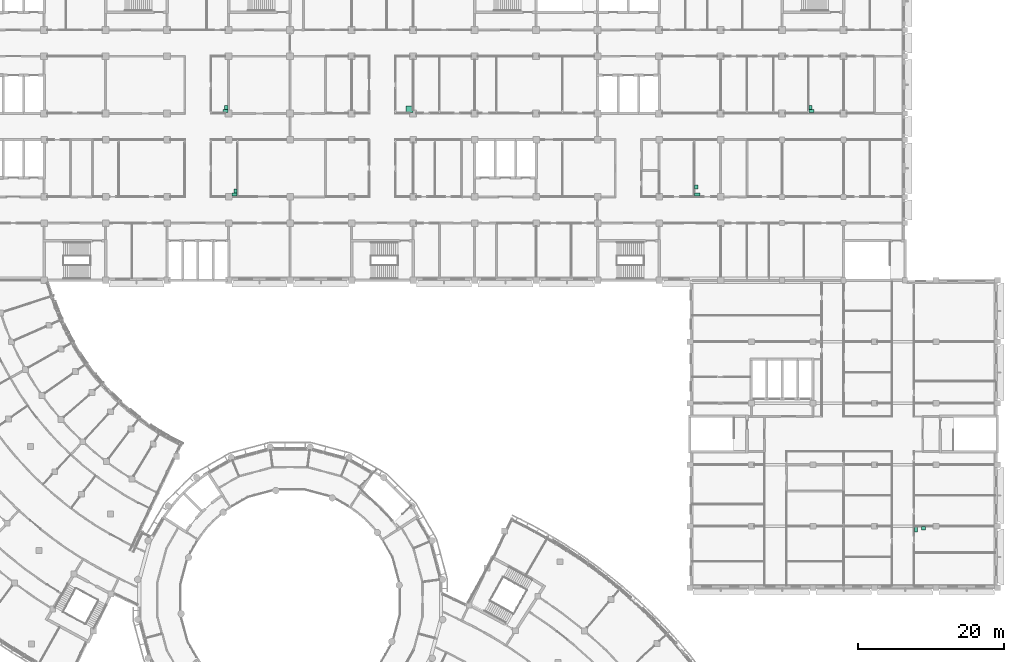
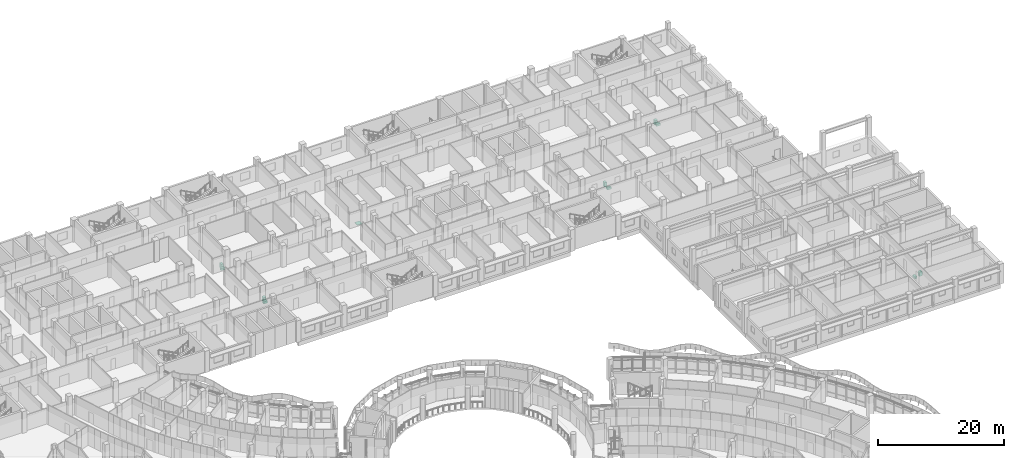
# One storey, part 109 of 109: 11 sanitary terminals.
"""IFC4 building model written with IfcOpenShell, lengths in metres."""

from ifc_helpers import new_model, si_unit, direction, frame, origin, origin_2d, place, context, subcontext, project, spatial, rectangle, extrude, material, type_object, element, save


model = new_model("IFC4")

# Units and contexts
model_context = context("Model", 3, precision=1e-05, world=origin(), true_north=direction((0.0, 1.0)))
body_context = subcontext(model_context, "Body", "Model", "MODEL_VIEW")
ifc_project = project(units=[si_unit("LENGTHUNIT", "METRE"), si_unit("AREAUNIT", "SQUARE_METRE"), si_unit("VOLUMEUNIT", "CUBIC_METRE"), si_unit("PLANEANGLEUNIT", "RADIAN"), si_unit("MASSUNIT", "GRAM", prefix="KILO")], contexts=[model_context])

# Site, building, storey
site_placement = place(None, origin())
site = spatial("IfcSite", under=ifc_project, at=site_placement, CompositionType="ELEMENT")
building_placement = place(site_placement, origin())
building = spatial("IfcBuilding", under=site, at=building_placement, Name="Bougainvillea Quay General Hospital", CompositionType="ELEMENT")
storey_placement = place(building_placement, frame((0.0, 0.0, 12.60009765625)))
storey = spatial("IfcBuildingStorey", under=building, at=storey_placement, Name="L02", CompositionType="ELEMENT", Elevation=12.60009765625)

# Sanitary terminals
ifc_material = material(Name="Vitreous china")
sanitary_terminal_type_1 = type_object("IfcSanitaryTerminalType", Name="Shower tray 900x900", PredefinedType="SHOWER", material=ifc_material)
sanitary_terminal_placement = place(storey_placement, frame((125.5, 140.949951171875, -0.000244140625), z_axis=(0.0, 0.0, 1.0), x_axis=(0.0, -1.0, 0.0)))
element("IfcSanitaryTerminal", 1, at=sanitary_terminal_placement, inside=storey, type_object=sanitary_terminal_type_1, Name="Shower tray", PredefinedType="SHOWER", context=body_context, shape_type="SweptSolid", body=[
    extrude(rectangle(XDim=0.89990234375, YDim=0.89990234375, at=origin_2d()), origin(), (0.0, 0.0, 1.0), 0.10009765625),
])
sanitary_terminal_type_2 = type_object("IfcSanitaryTerminalType", Name="Wall-hung toilet pan 400x700", PredefinedType="TOILETPAN", material=ifc_material)
for number, where, z_axis, x_axis, name in (
    (2, (194.699951171875, 83.60009765625, 0.0), (0.0, 0.0, 1.0), (1.0, 0.0, 0.0), "Wall-hung toilet pan"),
    (3, (101.60009765625, 129.300048828125, 0.0), (0.0, 0.0, 1.0), (0.0, -1.0, 0.0), "Wall-hung toilet pan"),
    (4, (164.800048828125, 129.300048828125, 0.0), (0.0, 0.0, 1.0), (0.0, 1.0, 0.0), "Wall-hung toilet pan"),
    (5, (100.35009765625, 140.699951171875, 0.0), (0.0, 0.0, 1.0), (0.0, -1.0, 0.0), "Wall-hung toilet pan"),
    (6, (180.39990234375, 140.699951171875, 0.0), (0.0, 0.0, 1.0), (0.0, 1.0, 0.0), "Wall-hung toilet pan"),
):
    element("IfcSanitaryTerminal", number, at=place(storey_placement, frame(where, z_axis=z_axis, x_axis=x_axis)), inside=storey, type_object=sanitary_terminal_type_2, Name=name, PredefinedType="TOILETPAN", context=body_context, shape_type="SweptSolid", body=[
        extrude(rectangle(XDim=0.39990234375, YDim=0.699951171875, at=origin_2d()), origin(), (0.0, 0.0, 1.0), 0.39990234375),
    ])
sanitary_terminal_type_3 = type_object("IfcSanitaryTerminalType", Name="Wash hand basin 550x450", PredefinedType="WASHHANDBASIN", material=ifc_material)
for number, where, z_axis, x_axis, name in (
    (7, (195.72509765625, 83.72509765625, -0.000244140625), (0.0, 0.0, 1.0), (1.0, 0.0, 0.0), "Wash hand basin"),
    (8, (101.72509765625, 129.824951171875, -0.000244140625), (0.0, 0.0, 1.0), (0.0, -1.0, 0.0), "Wash hand basin"),
    (9, (164.675048828125, 130.324951171875, -0.000244140625), (0.0, 0.0, 1.0), (0.0, 1.0, 0.0), "Wash hand basin"),
    (10, (100.47509765625, 141.22509765625, -0.000244140625), (0.0, 0.0, 1.0), (0.0, -1.0, 0.0), "Wash hand basin"),
    (11, (180.27490234375, 141.22509765625, -0.000244140625), (0.0, 0.0, 1.0), (0.0, 1.0, 0.0), "Wash hand basin"),
):
    element("IfcSanitaryTerminal", number, at=place(storey_placement, frame(where, z_axis=z_axis, x_axis=x_axis)), inside=storey, type_object=sanitary_terminal_type_3, Name=name, PredefinedType="WASHHANDBASIN", context=body_context, shape_type="SweptSolid", body=[
        extrude(rectangle(XDim=0.550048828125, YDim=0.449951171875, at=origin_2d()), origin(), (0.0, 0.0, 1.0), 0.85009765625),
    ])

save(model, "model.ifc")
